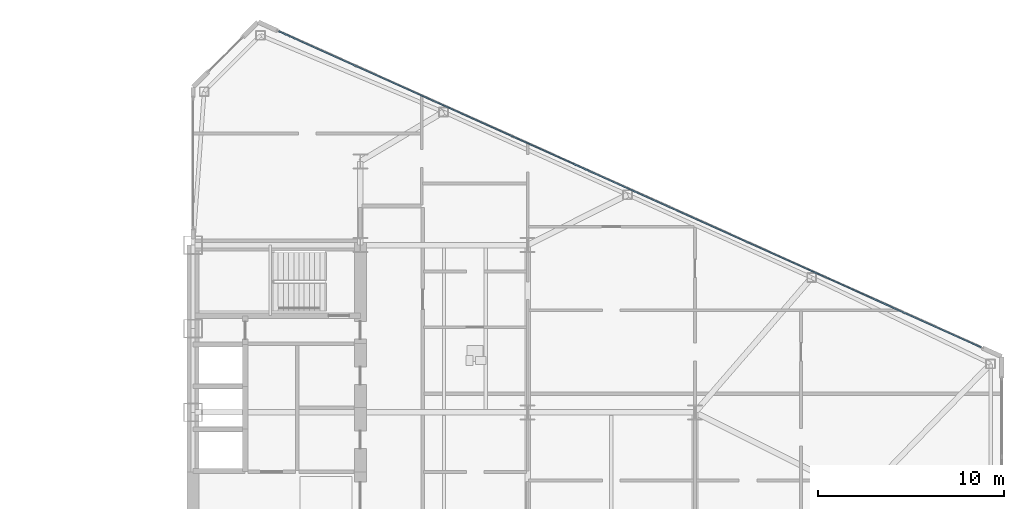
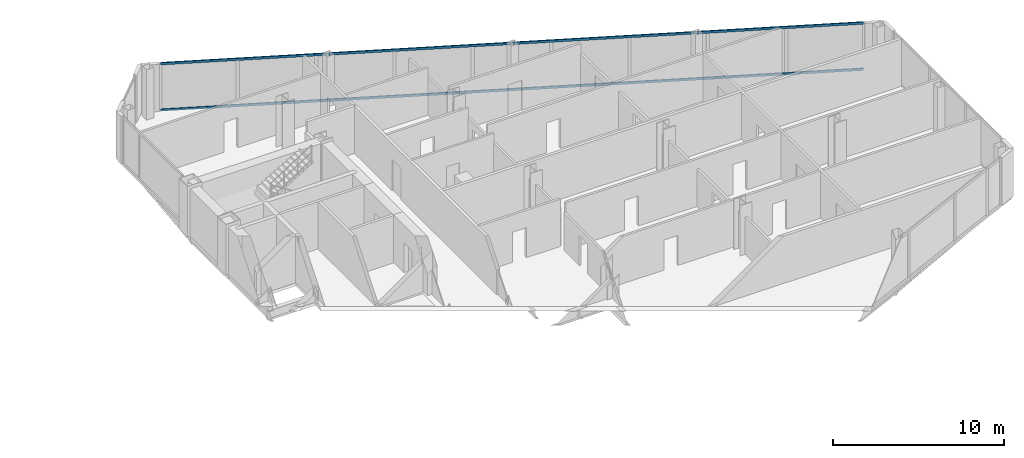
# One storey, part 14 of 27: 2 members, 1 element without a shape of its own.
"""IFC4 building model written with IfcOpenShell, lengths in metres."""

from ifc_helpers import new_model, si_unit, direction, frame, origin, origin_2d, place, context, subcontext, project, spatial, rectangle, extrude, source, transform, mapped, material, layer, layer_set, material_profile, profile_set, type_object, type_shapes, element, aggregate, save


model = new_model("IFC4")

# Units and contexts
model_context = context("Model", 3, precision=1e-05, world=origin(), true_north=direction((0.0, 1.0)))
body_context = subcontext(model_context, "Body", "Model", "MODEL_VIEW")
ifc_project = project(units=[si_unit("LENGTHUNIT", "METRE"), si_unit("AREAUNIT", "SQUARE_METRE"), si_unit("VOLUMEUNIT", "CUBIC_METRE"), si_unit("PLANEANGLEUNIT", "RADIAN"), si_unit("MASSUNIT", "GRAM", prefix="KILO")], contexts=[model_context])

# Site, building, storey
site_placement = place(None, origin())
site = spatial("IfcSite", under=ifc_project, at=site_placement, CompositionType="ELEMENT")
building_placement = place(site_placement, origin())
building = spatial("IfcBuilding", under=site, at=building_placement, Name="Seokmaru Belvedere", CompositionType="ELEMENT")
storey_placement = place(building_placement, frame((0.0, 0.0, 72.89990234375)))
storey = spatial("IfcBuildingStorey", under=building, at=storey_placement, Name="L19", CompositionType="ELEMENT", Elevation=72.89990234375)

# Curtain wall, members
ifc_material_1 = material(Name="Bronze Triple Insulating Glass", Category="glass")
ifc_layer = layer(ifc_material_1, 0.195068359375)
ifc_layer_set = layer_set([ifc_layer], Name="Bronze Triple Insulating Glass")
curtain_wall_type = type_object("IfcCurtainWallType", Name="Lower-Mid Tapered Curtain Wall System CW-3", PredefinedType="NOTDEFINED", material=ifc_layer_set)
curtain_wall_placement = place(storey_placement, origin())
curtain_wall = element("IfcCurtainWall", 1, at=curtain_wall_placement, inside=storey, type_object=curtain_wall_type, Name="L19 Curtain Wall EF3", PredefinedType="NOTDEFINED")
ifc_material_2 = material(Name="Anodised Bronze Aluminium", Category="aluminium")
ifc_material_profile = material_profile(ifc_material_2, rectangle(XDim=0.070068359375, YDim=0.1650390625, at=origin_2d()), Name="CW-T-70x165")
ifc_profile_set = profile_set([ifc_material_profile], Name="Anodised Bronze Aluminium")
member_type = type_object("IfcMemberType", Name="Bronze Unitised Transom 70x165", PredefinedType="USERDEFINED", material=ifc_profile_set)
shared_shape = source(origin(), body_context, "Body", "SweptSolid", [
    extrude(rectangle(XDim=0.070068359375, YDim=0.1650390625, at=origin_2d()), origin(), (0.0, 0.0, 1.0), 41.423583984375),
])
type_shapes(member_type, [shared_shape])
member_1_placement = place(storey_placement, frame((69.887451171875, 8.00048828125, 0.03515625), z_axis=(-0.911918637916, 0.410371048956, 0.0), x_axis=(-0.410371048956, -0.911918637916, 0.0)))
member_1 = element("IfcMember", 2, at=member_1_placement, type_object=member_type, Name="CW:L19:EF3 Continuous Transom 1", ObjectType="TRANSOM", PredefinedType="USERDEFINED", context=body_context, shape_type="MappedRepresentation", body=[
    mapped(shared_shape, transform((0.0, 0.0, 0.0), scale=1.0)),
])
member_2_placement = place(storey_placement, frame((69.887451171875, 8.00048828125, 3.34521484375), z_axis=(-0.911918637916, 0.410371048956, 0.0), x_axis=(-0.410371048956, -0.911918637916, 0.0)))
member_2 = element("IfcMember", 3, at=member_2_placement, type_object=member_type, Name="CW:L19:EF3 Continuous Transom 2", ObjectType="TRANSOM", PredefinedType="USERDEFINED", context=body_context, shape_type="MappedRepresentation", body=[
    mapped(shared_shape, transform((0.0, 0.0, 0.0), scale=1.0)),
])
aggregate(curtain_wall, [member_1, member_2])

save(model, "model.ifc")
